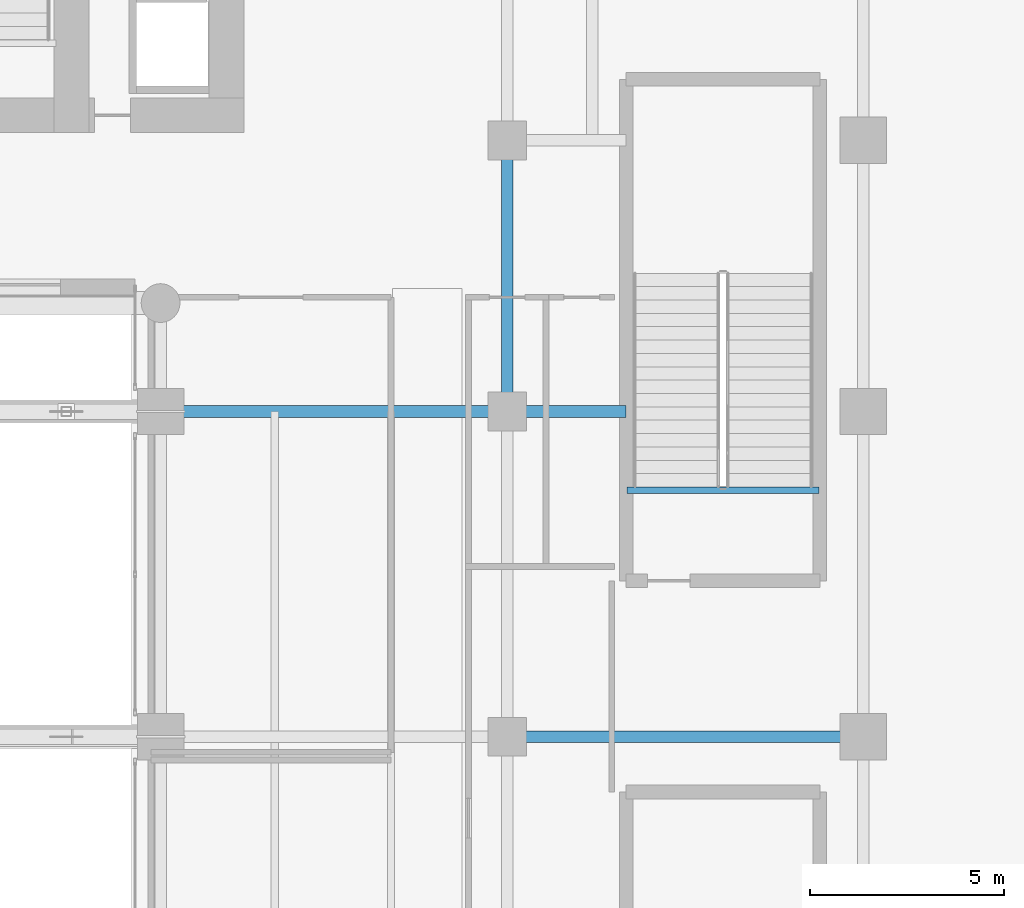
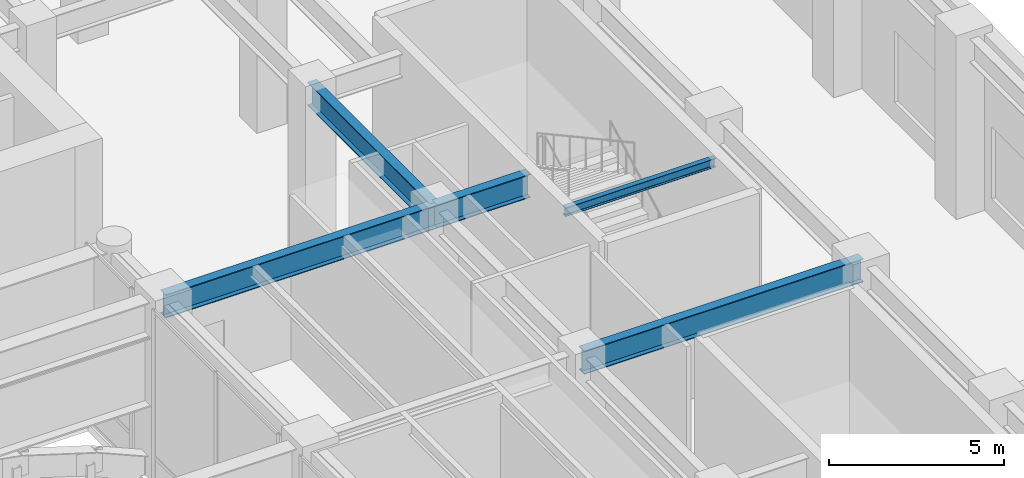
# One storey, part 27 of 50: 5 beams.
"""IFC4 building model written with IfcOpenShell, lengths in metres."""

from ifc_helpers import new_model, si_unit, direction, frame, origin, origin_2d, place, context, subcontext, project, spatial, i_section, extrude, source, transform, mapped, material, material_profile, profile_set, type_object, type_shapes, element, save


model = new_model("IFC4")

# Units and contexts
model_context = context("Model", 3, precision=1e-05, world=origin(), true_north=direction((0.0, 1.0)))
body_context = subcontext(model_context, "Body", "Model", "MODEL_VIEW")
ifc_project = project(units=[si_unit("LENGTHUNIT", "METRE"), si_unit("AREAUNIT", "SQUARE_METRE"), si_unit("VOLUMEUNIT", "CUBIC_METRE"), si_unit("PLANEANGLEUNIT", "RADIAN"), si_unit("MASSUNIT", "GRAM", prefix="KILO")], contexts=[model_context])

# Site, building, storey
site_placement = place(None, origin())
site = spatial("IfcSite", under=ifc_project, at=site_placement, CompositionType="ELEMENT")
building_placement = place(site_placement, origin())
building = spatial("IfcBuilding", under=site, at=building_placement, Name="Tolvann Quenvar Hotel", CompositionType="ELEMENT")
storey_placement = place(building_placement, frame((0.0, 0.0, 16.0)))
storey = spatial("IfcBuildingStorey", under=building, at=storey_placement, Name="L03", CompositionType="ELEMENT", Elevation=16.0)

# Beams
ifc_material = material(Name="Steel Grade 350", Category="steel")
ifc_material_profile_1 = material_profile(ifc_material, i_section(OverallWidth=0.300048828125, OverallDepth=0.81591796875, WebThickness=0.010009765625, FlangeThickness=0.028076171875, at=origin_2d()), Name="800WB192")
ifc_profile_set_1 = profile_set([ifc_material_profile_1], Name="Steel Grade 350")
beam_type_1 = type_object("IfcBeamType", Name="BM_GIRD_800WB192", PredefinedType="BEAM", material=ifc_profile_set_1)
shared_shape_1 = source(origin(), body_context, "Body", "SweptSolid", [
    extrude(i_section(OverallWidth=0.300048828125, OverallDepth=0.81591796875, WebThickness=0.010009765625, FlangeThickness=0.028076171875, at=origin_2d()), origin(), (0.0, 0.0, 1.0), 8.949951171875),
])
beam_1_placement = place(storey_placement, frame((38.25, 24.39990234375, 5.73193359375), z_axis=(1.0, 0.0, 0.0), x_axis=(0.0, 1.0, 0.0)))
element("IfcBeam", 1, at=beam_1_placement, inside=storey, type_object=beam_type_1, Name="BM-L03-GE1-4", PredefinedType="BEAM", context=body_context, shape_type="MappedRepresentation", body=[
    mapped(shared_shape_1, transform((0.0, 0.0, 0.0), x_axis=(1.0, 0.0, 0.0), y_axis=(0.0, 1.0, 0.0), z_axis=(0.0, 0.0, 1.0), scale=1.0)),
])
shared_shape_2 = source(origin(), body_context, "Body", "SweptSolid", [
    extrude(i_section(OverallWidth=0.300048828125, OverallDepth=0.81591796875, WebThickness=0.010009765625, FlangeThickness=0.028076171875, at=origin_2d()), origin(), (0.0, 0.0, 1.0), 9.199951171875),
])
beam_2_placement = place(storey_placement, frame((47.199951171875, 16.0, 5.73193359375), z_axis=(1.0, 0.0, 0.0), x_axis=(0.0, 1.0, 0.0)))
element("IfcBeam", 2, at=beam_2_placement, inside=storey, type_object=beam_type_1, Name="BM-L03-GE2-3", PredefinedType="BEAM", context=body_context, shape_type="MappedRepresentation", body=[
    mapped(shared_shape_2, transform((0.0, 0.0, 0.0), x_axis=(1.0, 0.0, 0.0), y_axis=(0.0, 1.0, 0.0), z_axis=(0.0, 0.0, 1.0), scale=1.0)),
])
shared_shape_3 = source(origin(), body_context, "Body", "SweptSolid", [
    extrude(i_section(OverallWidth=0.300048828125, OverallDepth=0.81591796875, WebThickness=0.010009765625, FlangeThickness=0.028076171875, at=origin_2d()), origin(), (0.0, 0.0, 1.0), 7.0),
])
beam_3_placement = place(storey_placement, frame((47.199951171875, 24.39990234375, 5.73193359375), z_axis=(0.0, 1.0, 0.0), x_axis=(-1.0, 0.0, 0.0)))
element("IfcBeam", 3, at=beam_3_placement, inside=storey, type_object=beam_type_1, Name="BM-L03-NS-H-3", PredefinedType="BEAM", context=body_context, shape_type="MappedRepresentation", body=[
    mapped(shared_shape_3, transform((0.0, 0.0, 0.0), x_axis=(1.0, 0.0, 0.0), y_axis=(0.0, 1.0, 0.0), z_axis=(0.0, 0.0, 1.0), scale=1.0)),
])
shared_shape_4 = source(origin(), body_context, "Body", "SweptSolid", [
    extrude(i_section(OverallWidth=0.300048828125, OverallDepth=0.81591796875, WebThickness=0.010009765625, FlangeThickness=0.028076171875, at=origin_2d()), origin(), (0.0, 0.0, 1.0), 3.074951171875),
])
type_shapes(beam_type_1, [shared_shape_1, shared_shape_2, shared_shape_3, shared_shape_4])
beam_4_placement = place(storey_placement, frame((47.199951171875, 24.39990234375, 5.73193359375), z_axis=(1.0, 0.0, 0.0), x_axis=(0.0, 1.0, 0.0)))
element("IfcBeam", 4, at=beam_4_placement, inside=storey, type_object=beam_type_1, Name="BM-L03-GE2-4", PredefinedType="BEAM", context=body_context, shape_type="MappedRepresentation", body=[
    mapped(shared_shape_4, transform((0.0, 0.0, 0.0), x_axis=(1.0, 0.0, 0.0), y_axis=(0.0, 1.0, 0.0), z_axis=(0.0, 0.0, 1.0), scale=1.0)),
])
ifc_material_profile_2 = material_profile(ifc_material, i_section(OverallWidth=0.166015625, OverallDepth=0.306884765625, WebThickness=0.006591796875, FlangeThickness=0.01171875, FilletRadius=0.011474609375, at=origin_2d()), Name="310UB46")
ifc_profile_set_2 = profile_set([ifc_material_profile_2], Name="Steel Grade 350")
beam_type_2 = type_object("IfcBeamType", Name="BM_JOIST_310UB46", PredefinedType="JOIST", material=ifc_profile_set_2)
shared_shape_5 = source(origin(), body_context, "Body", "SweptSolid", [
    extrude(i_section(OverallWidth=0.166015625, OverallDepth=0.306884765625, WebThickness=0.006591796875, FlangeThickness=0.01171875, FilletRadius=0.011474609375, at=origin_2d()), origin(), (0.0, 0.0, 1.0), 4.949951171875),
])
type_shapes(beam_type_2, [shared_shape_5])
beam_5_placement = place(storey_placement, frame((50.300048828125, 22.364990234375, 5.986572265625), z_axis=(1.0, 0.0, 0.0), x_axis=(0.0, 1.0, 0.0)))
element("IfcBeam", 5, at=beam_5_placement, inside=storey, type_object=beam_type_2, Name="BM-HDR-ST-P4-L04", PredefinedType="JOIST", context=body_context, shape_type="MappedRepresentation", body=[
    mapped(shared_shape_5, transform((0.0, 0.0, 0.0), x_axis=(1.0, 0.0, 0.0), y_axis=(0.0, 1.0, 0.0), z_axis=(0.0, 0.0, 1.0), scale=1.0)),
])

save(model, "model.ifc")
